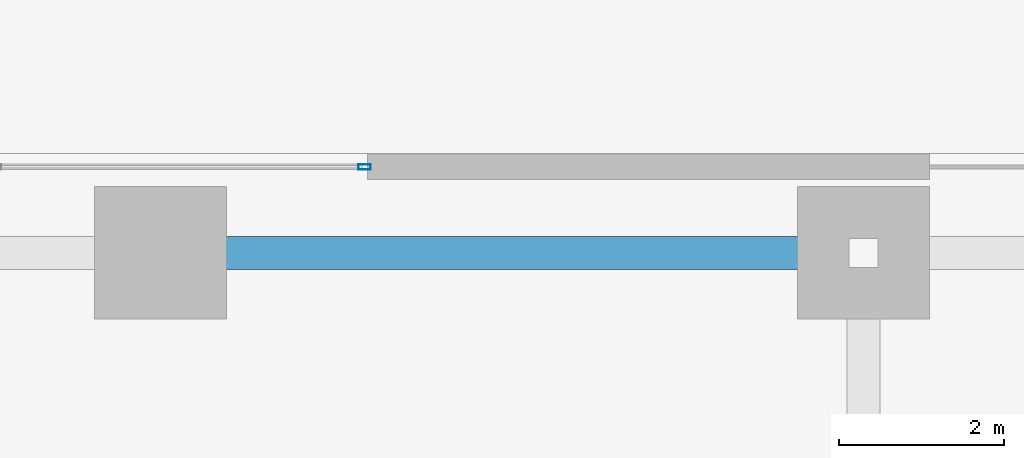
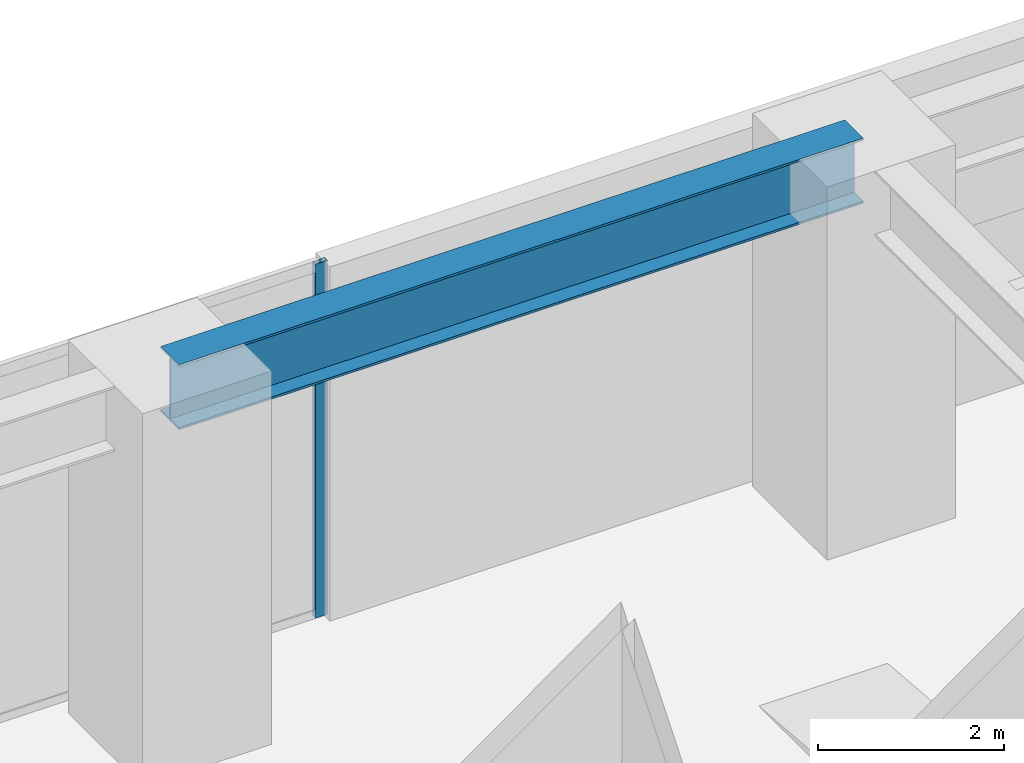
# One storey, part 15 of 28: 1 beam, 1 member, 1 element without a shape of its own.
"""IFC4 building model written with IfcOpenShell, lengths in metres."""

from ifc_helpers import new_model, si_unit, direction, frame, origin, origin_2d, place, context, subcontext, project, spatial, hollow_rectangle, i_section, extrude, source, transform, mapped, material, layer, layer_set, material_profile, profile_set, type_object, type_shapes, element, aggregate, save


model = new_model("IFC4")

# Units and contexts
model_context = context("Model", 3, precision=1e-05, world=origin(), true_north=direction((0.0, 1.0)))
body_context = subcontext(model_context, "Body", "Model", "MODEL_VIEW")
ifc_project = project(units=[si_unit("LENGTHUNIT", "METRE"), si_unit("AREAUNIT", "SQUARE_METRE"), si_unit("VOLUMEUNIT", "CUBIC_METRE"), si_unit("PLANEANGLEUNIT", "RADIAN"), si_unit("MASSUNIT", "GRAM", prefix="KILO")], contexts=[model_context])

# Site, building, storey
site_placement = place(None, origin())
site = spatial("IfcSite", under=ifc_project, at=site_placement, CompositionType="ELEMENT")
building_placement = place(site_placement, origin())
building = spatial("IfcBuilding", under=site, at=building_placement, Name="Talar Marvaseh", CompositionType="ELEMENT")
storey_placement = place(building_placement, origin())
storey = spatial("IfcBuildingStorey", under=building, at=storey_placement, Name="L00", CompositionType="ELEMENT", Elevation=0.0)

# Beam
ifc_material_1 = material(Name="Steel S355", Category="steel")
ifc_material_profile_1 = material_profile(ifc_material_1, i_section(OverallWidth=0.39990234375, OverallDepth=0.85498046875, WebThickness=0.018310546875, FlangeThickness=0.029296875, at=origin_2d()), Name="W840x299")
ifc_profile_set_1 = profile_set([ifc_material_profile_1], Name="Steel S355")
beam_type = type_object("IfcBeamType", Name="Concourse Primary Girder W840x299", PredefinedType="BEAM", material=ifc_profile_set_1)
beam_placement = place(storey_placement, frame((33.5, 46.800048828125, 4.472412109375), z_axis=(1.0, 0.0, 0.0), x_axis=(0.0, 1.0, 0.0)))
element("IfcBeam", 1, at=beam_placement, inside=storey, type_object=beam_type, Name="L00 Concourse Primary Girder W840x299", PredefinedType="BEAM", context=body_context, shape_type="SweptSolid", body=[
    extrude(i_section(OverallWidth=0.39990234375, OverallDepth=0.85498046875, WebThickness=0.018310546875, FlangeThickness=0.029296875, at=origin_2d()), origin(), (0.0, 0.0, 1.0), 8.5),
])

# Curtain wall, member
ifc_material_2 = material(Name="Architectural Aluminium", Category="aluminium")
ifc_layer = layer(ifc_material_2, 0.25)
ifc_layer_set = layer_set([ifc_layer], Name="Architectural Aluminium")
curtain_wall_type = type_object("IfcCurtainWallType", Name="Station Podium Monumental Iwan Curtain Wall", PredefinedType="NOTDEFINED", material=ifc_layer_set)
curtain_wall_placement = place(storey_placement, origin())
curtain_wall = element("IfcCurtainWall", 2, at=curtain_wall_placement, inside=storey, type_object=curtain_wall_type, Name="L00 Station Podium Monumental Iwan Curtain Wall", PredefinedType="NOTDEFINED")
ifc_material_profile_2 = material_profile(ifc_material_2, hollow_rectangle(XDim=0.06494140625, YDim=0.14990234375, WallThickness=0.00390625, at=origin_2d()), Name="RHS150x65x4")
ifc_profile_set_2 = profile_set([ifc_material_profile_2], Name="Architectural Aluminium")
member_type = type_object("IfcMemberType", Name="Unitised Curtain Wall Slim Mullion RHS150x65x4", PredefinedType="MULLION", material=ifc_profile_set_2)
shared_shape = source(origin(), body_context, "Body", "SweptSolid", [
    extrude(hollow_rectangle(XDim=0.06494140625, YDim=0.14990234375, WallThickness=0.00390625, at=origin_2d()), origin(), (0.0, 0.0, 1.0), 4.64990234375),
])
type_shapes(member_type, [shared_shape])
member_placement = place(storey_placement, frame((35.967529296875, 47.840087890625, 0.0), z_axis=(0.0, 0.0, 1.0), x_axis=(0.0, 1.0, 0.0)))
member = element("IfcMember", 3, at=member_placement, type_object=member_type, Name="CW-POD mullion 5", PredefinedType="MULLION", context=body_context, shape_type="MappedRepresentation", body=[
    mapped(shared_shape, transform((0.0, 0.0, 0.0), x_axis=(1.0, 0.0, 0.0), y_axis=(0.0, 1.0, 0.0), z_axis=(0.0, 0.0, 1.0), scale=1.0)),
])
aggregate(curtain_wall, [member])

save(model, "model.ifc")
